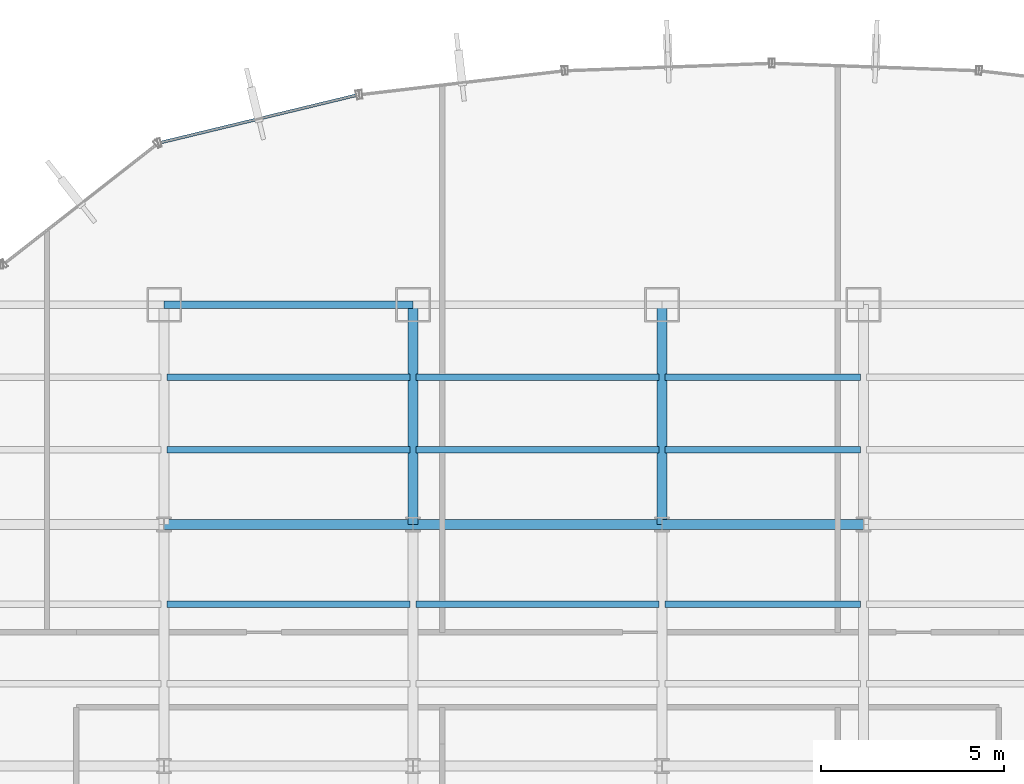
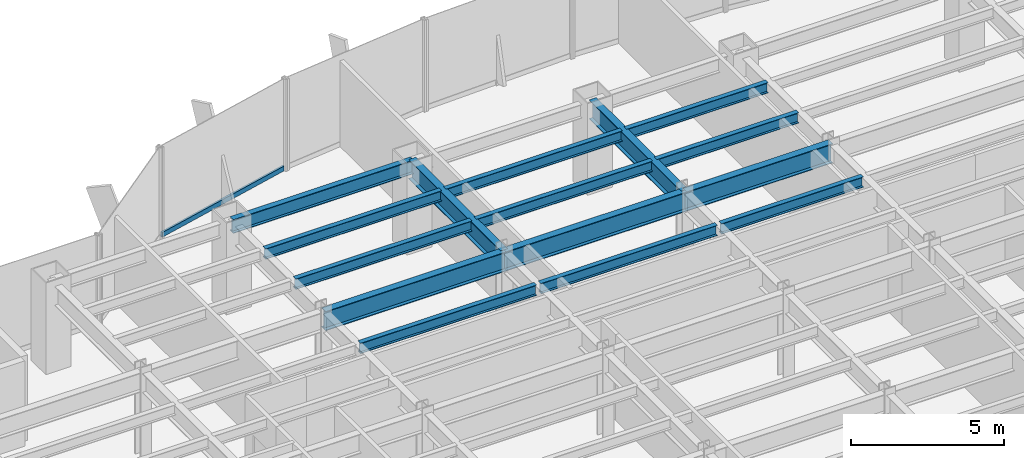
# One storey, part 11 of 22: 15 beams, 1 member, 1 element without a shape of its own.
"""IFC4 building model written with IfcOpenShell, lengths in metres."""

import ifcopenshell
import ifcopenshell.guid

model = None  # the IFC model being written
_history = None  # IfcOwnerHistory: only IFC2X3 demands one
_inside = {}  # id of a spatial element -> (the spatial element, [elements in it])
_under = {}  # id of a project, library or spatial element -> (it, [spatial elements below it])
_declared = {}  # id of a project -> (the project, [libraries it declares])
_typed = {}  # id of a type object -> (the type object, [elements of that type])
_made_of = {}  # id of a material, layer set ... -> (it, [elements and type objects made of it])


def new_model(schema):
    """Start an empty IFC model of exactly this schema.

    Asked for "IFC4X3", IfcOpenShell would pick the latest addendum, in which some entities
    have other attributes; the version numbers below select the first issue.
    IFC2X3 requires an IfcOwnerHistory on every rooted entity: one is made here for all.
    """
    global model, _history
    if schema == "IFC4X3":
        model = ifcopenshell.file(schema_version=(4, 3, 0, 0))
    else:
        model = ifcopenshell.file(schema=schema)
    _inside.clear()
    _under.clear()
    _declared.clear()
    _typed.clear()
    _made_of.clear()
    _history = None
    if model.schema == "IFC2X3":
        org = make("IfcOrganization", Name="unknown")
        user = make(
            "IfcPersonAndOrganization",
            ThePerson=make("IfcPerson", FamilyName="unknown"),
            TheOrganization=org,
        )
        app = make(
            "IfcApplication",
            ApplicationDeveloper=org,
            Version="unknown",
            ApplicationFullName="unknown",
            ApplicationIdentifier="unknown",
        )
        _history = make(
            "IfcOwnerHistory",
            OwningUser=user,
            OwningApplication=app,
            ChangeAction="ADDED",
            CreationDate=0,
        )
    return model


def make(cls, **values):
    """One entity of the class cls with the attributes given. An attribute that is None is left unset."""
    return model.create_entity(
        cls, **{name: value for name, value in values.items() if value is not None}
    )


def rooted(cls, **values):
    """An entity with a GlobalId (a new one), such as an element, a storey or a relation."""
    return make(cls, GlobalId=ifcopenshell.guid.new(), OwnerHistory=_history, **values)


def si_unit(unit_type, name, prefix=None):
    """IfcSIUnit, for example si_unit("LENGTHUNIT", "METRE", prefix="MILLI")."""
    return make("IfcSIUnit", UnitType=unit_type, Prefix=prefix, Name=name)


def derived_unit(unit_type, elements):
    """IfcDerivedUnit: a product of units, each with its exponent."""
    return make(
        "IfcDerivedUnit",
        Elements=[
            make("IfcDerivedUnitElement", Unit=unit, Exponent=power)
            for unit, power in elements
        ],
        UnitType=unit_type,
    )


def assignment(units):
    """IfcUnitAssignment: the units of a project."""
    return None if units is None else make("IfcUnitAssignment", Units=units)


def point(xyz):
    """IfcCartesianPoint."""
    return None if xyz is None else make("IfcCartesianPoint", Coordinates=xyz)


def direction(xyz):
    """IfcDirection."""
    return None if xyz is None else make("IfcDirection", DirectionRatios=xyz)


def frame(location, z_axis=None, x_axis=None):
    """IfcAxis2Placement3D, a coordinate frame: its origin and axes. An axis left out is left unset."""
    return make(
        "IfcAxis2Placement3D",
        Location=point(location),
        Axis=direction(z_axis),
        RefDirection=direction(x_axis),
    )


def frame_2d(location, x_axis=None):
    """IfcAxis2Placement2D, a coordinate frame in the plane: its origin and x axis."""
    return make(
        "IfcAxis2Placement2D", Location=point(location), RefDirection=direction(x_axis)
    )


def origin():
    """The frame at (0, 0, 0) with its axes left unset."""
    return frame((0.0, 0.0, 0.0))


def origin_2d():
    """The frame at (0, 0) in the plane with its x axis left unset."""
    return frame_2d((0.0, 0.0))


def place(relative_to, where):
    """IfcLocalPlacement: puts the frame where relative to a parent placement (None: the world)."""
    return make(
        "IfcLocalPlacement", PlacementRelTo=relative_to, RelativePlacement=where
    )


def context(
    kind, dimensions, precision=None, world=None, true_north=None, identifier=None
):
    """IfcGeometricRepresentationContext, for example the 3D "Model" context."""
    return make(
        "IfcGeometricRepresentationContext",
        ContextIdentifier=identifier,
        ContextType=kind,
        CoordinateSpaceDimension=dimensions,
        Precision=precision,
        WorldCoordinateSystem=world,
        TrueNorth=true_north,
    )


def subcontext(parent, identifier, kind, view, scale=None):
    """IfcGeometricRepresentationSubContext, for example "Body" below "Model"."""
    return make(
        "IfcGeometricRepresentationSubContext",
        ContextIdentifier=identifier,
        ContextType=kind,
        ParentContext=parent,
        TargetScale=scale,
        TargetView=view,
    )


def project(units=None, contexts=None):
    """IfcProject with its units and contexts."""
    return rooted(
        "IfcProject",
        Name="project",
        RepresentationContexts=contexts,
        UnitsInContext=assignment(units),
    )


def spatial(cls, under=None, at=None, **own):
    """A site, building, storey or space (cls), placed at a placement, below another one or the project."""
    s = rooted(cls, ObjectPlacement=at, **own)
    if under is not None:
        _under.setdefault(under.id(), (under, []))[1].append(s)
    return s


def profile(cls, at=None, kind="AREA", **sizes):
    """A parametric profile (cls). Its sizes go by their IFC names, for example OverallWidth=200.0."""
    return make(cls, ProfileType=kind, Position=at, **sizes)


def hollow_rectangle(**sizes):
    """IfcRectangleHollowProfileDef."""
    return profile("IfcRectangleHollowProfileDef", **sizes)


def i_section(**sizes):
    """IfcIShapeProfileDef."""
    return profile("IfcIShapeProfileDef", **sizes)


def extrude(swept, where, along, depth):
    """IfcExtrudedAreaSolid: the profile swept, set in the frame where, extruded along a direction by depth."""
    return make(
        "IfcExtrudedAreaSolid",
        SweptArea=swept,
        Position=where,
        ExtrudedDirection=direction(along),
        Depth=depth,
    )


def shape(context_of_items, identifier, shape_type, items):
    """IfcShapeRepresentation: the items that make up one representation, for example the "Body"."""
    return make(
        "IfcShapeRepresentation",
        ContextOfItems=context_of_items,
        RepresentationIdentifier=identifier,
        RepresentationType=shape_type,
        Items=items,
    )


def source(mapping_origin, context_of_items, identifier, shape_type, items):
    """IfcRepresentationMap: a shape defined once, which mapped items show again and again."""
    return make(
        "IfcRepresentationMap",
        MappingOrigin=mapping_origin,
        MappedRepresentation=shape(context_of_items, identifier, shape_type, items),
    )


def transform(
    local_origin,
    x_axis=None,
    y_axis=None,
    z_axis=None,
    scale=None,
    scale2=None,
    scale3=None,
    uniform=True,
):
    """IfcCartesianTransformationOperator3D, or its non-uniform kind. x_axis, y_axis, z_axis: its Axis1, 2, 3."""
    if uniform:
        return make(
            "IfcCartesianTransformationOperator3D",
            Axis1=direction(x_axis),
            Axis2=direction(y_axis),
            LocalOrigin=point(local_origin),
            Scale=scale,
            Axis3=direction(z_axis),
        )
    return make(
        "IfcCartesianTransformationOperator3DnonUniform",
        Axis1=direction(x_axis),
        Axis2=direction(y_axis),
        LocalOrigin=point(local_origin),
        Scale=scale,
        Axis3=direction(z_axis),
        Scale2=scale2,
        Scale3=scale3,
    )


def mapped(mapping_source, mapping_target):
    """IfcMappedItem: shows the shape of a source again, moved by a transform."""
    return make(
        "IfcMappedItem", MappingSource=mapping_source, MappingTarget=mapping_target
    )


def material(Name=None, Category=None):
    """IfcMaterial."""
    return make("IfcMaterial", Name=Name, Category=Category)


def material_profile(
    of_material, cross_section, Name=None, Category=None, Priority=None
):
    """IfcMaterialProfile: a cross section and its material."""
    return make(
        "IfcMaterialProfile",
        Name=Name,
        Material=of_material,
        Profile=cross_section,
        Priority=Priority,
        Category=Category,
    )


def profile_set(profiles, Name=None, composite=None):
    """IfcMaterialProfileSet."""
    return make(
        "IfcMaterialProfileSet",
        Name=Name,
        MaterialProfiles=profiles,
        CompositeProfile=composite,
    )


def made_of(thing, what):
    """Note that an element or type object is made of a material, layer set ...; save() writes the relation."""
    if what is not None:
        _made_of.setdefault(what.id(), (what, []))[1].append(thing)
    return thing


def type_object(cls, material=None, **own):
    """A type object (cls), such as IfcWallType, which elements share."""
    return made_of(rooted(cls, **own), material)


def element(
    cls,
    number,
    at=None,
    inside=None,
    cuts=None,
    type_object=None,
    material=None,
    context=None,
    identifier="Body",
    shape_type=None,
    held_by="IfcProductDefinitionShape",
    body=None,
    shapes=None,
    **own,
):
    """One element of the class cls, such as IfcWall. Its Tag is "e" and its number.

    at: its placement. inside: the storey or other place that contains it. cuts: it is an
    opening in that element (IfcRelVoidsElement). A single representation is given by context,
    identifier, shape_type and body (its items); several are given by shapes. held_by: the class
    of the entity that holds the representations. save() writes the other relations.
    """
    e = rooted(cls, Tag="e%d" % number, ObjectPlacement=at, **own)
    if body is not None:
        shapes = [shape(context, identifier, shape_type, body)]
    if shapes is not None:
        e.Representation = make(held_by, Representations=shapes)
    if inside is not None:
        _inside.setdefault(inside.id(), (inside, []))[1].append(e)
    if cuts is not None:
        rooted(
            "IfcRelVoidsElement", RelatingBuildingElement=cuts, RelatedOpeningElement=e
        )
    if type_object is not None:
        _typed.setdefault(type_object.id(), (type_object, []))[1].append(e)
    return made_of(e, material)


def aggregate(whole, parts):
    """IfcRelAggregates: a whole, such as a stair, and the parts it consists of."""
    return rooted("IfcRelAggregates", RelatingObject=whole, RelatedObjects=parts)


def save(model, path):
    """Write the relations noted so far, then the file.

    IfcRelAggregates (storeys below a building ...), IfcRelContainedInSpatialStructure (elements
    in a storey), IfcRelDefinesByType, IfcRelAssociatesMaterial and IfcRelDeclares: one each for
    every whole, place, type object, material and project.
    """
    for whole, parts in _under.values():
        aggregate(whole, parts)
    for where, things in _inside.values():
        rooted(
            "IfcRelContainedInSpatialStructure",
            RelatedElements=things,
            RelatingStructure=where,
        )
    for kind, things in _typed.values():
        rooted("IfcRelDefinesByType", RelatedObjects=things, RelatingType=kind)
    for what, things in _made_of.values():
        rooted("IfcRelAssociatesMaterial", RelatedObjects=things, RelatingMaterial=what)
    for by, libraries in _declared.values():
        rooted("IfcRelDeclares", RelatingContext=by, RelatedDefinitions=libraries)
    model.write(path)


model = new_model("IFC4")

# Units and contexts
model_context = context("Model", 3, precision=1e-05, world=origin(), true_north=direction((0.0, 1.0)))
body_context = subcontext(model_context, "Body", "Model", "MODEL_VIEW")
ifc_project = project(units=[si_unit("LENGTHUNIT", "METRE"), si_unit("AREAUNIT", "SQUARE_METRE"), si_unit("VOLUMEUNIT", "CUBIC_METRE"), si_unit("PLANEANGLEUNIT", "RADIAN"), si_unit("MASSUNIT", "GRAM", prefix="KILO"), derived_unit("THERMALTRANSMITTANCEUNIT", [(si_unit("POWERUNIT", "WATT"), 1), (si_unit("LENGTHUNIT", "METRE"), -2), (si_unit("THERMODYNAMICTEMPERATUREUNIT", "KELVIN"), -1)])], contexts=[model_context])

# Site, building, storey
site_placement = place(None, origin())
site = spatial("IfcSite", under=ifc_project, at=site_placement, CompositionType="ELEMENT")
building_placement = place(site_placement, origin())
building = spatial("IfcBuilding", under=site, at=building_placement, Name="Skarnbrae Concourse Arena and Tower", CompositionType="ELEMENT")
storey_placement = place(building_placement, frame((0.0, 0.0, 36.14990234375)))
storey = spatial("IfcBuildingStorey", under=building, at=storey_placement, Name="L07", CompositionType="ELEMENT", Elevation=36.14990234375)

# Beams
ifc_material_1 = material(Name="Steel CSA G40.21 350W", Category="steel")
ifc_material_profile_1 = material_profile(ifc_material_1, i_section(OverallWidth=0.26806640625, OverallDepth=0.77001953125, WebThickness=0.015625, FlangeThickness=0.025390625, at=origin_2d()), Name="W760X196")
ifc_profile_set_1 = profile_set([ifc_material_profile_1], Name="Steel CSA G40.21 350W")
beam_type_1 = type_object("IfcBeamType", Name="BM-GIRD-W760X196", PredefinedType="BEAM", material=ifc_profile_set_1)
shared_shape_1 = source(origin(), body_context, "Body", "SweptSolid", [
    extrude(i_section(OverallWidth=0.26806640625, OverallDepth=0.77001953125, WebThickness=0.015625, FlangeThickness=0.025390625, at=origin_2d()), origin(), (0.0, 0.0, 1.0), 6.800048828125),
])
for number, where, z_axis, x_axis, name in (
    (1, (14.39990234375, 34.39990234375, 3.01513671875), (1.0, 0.0, 0.0), (0.0, 1.0, 0.0), "L07 Primary E-W girder Y34.4-3"),
    (2, (21.199951171875, 34.39990234375, 3.01513671875), (1.0, 0.0, 0.0), (0.0, 1.0, 0.0), "L07 Primary E-W girder Y34.4-4"),
):
    element("IfcBeam", number, at=place(storey_placement, frame(where, z_axis=z_axis, x_axis=x_axis)), inside=storey, type_object=beam_type_1, Name=name, PredefinedType="BEAM", context=body_context, shape_type="MappedRepresentation", body=[
        mapped(shared_shape_1, transform((0.0, 0.0, 0.0))),
    ])
shared_shape_2 = source(origin(), body_context, "Body", "SweptSolid", [
    extrude(i_section(OverallWidth=0.26806640625, OverallDepth=0.77001953125, WebThickness=0.015625, FlangeThickness=0.025390625, at=origin_2d()), origin(), (0.0, 0.0, 1.0), 5.5),
])
beam_1_placement = place(storey_placement, frame((28.0, 34.39990234375, 3.01513671875), z_axis=(1.0, 0.0, 0.0), x_axis=(0.0, 1.0, 0.0)))
element("IfcBeam", 3, at=beam_1_placement, inside=storey, type_object=beam_type_1, Name="L07 Primary E-W girder Y34.4-5", PredefinedType="BEAM", context=body_context, shape_type="MappedRepresentation", body=[
    mapped(shared_shape_2, transform((0.0, 0.0, 0.0))),
])
shared_shape_3 = source(origin(), body_context, "Body", "SweptSolid", [
    extrude(i_section(OverallWidth=0.26806640625, OverallDepth=0.77001953125, WebThickness=0.015625, FlangeThickness=0.025390625, at=origin_2d()), origin(), (0.0, 0.0, 1.0), 6.0),
])
for number, where, z_axis, x_axis, name in (
    (4, (21.199951171875, 34.39990234375, 3.01513671875), (0.0, 1.0, 0.0), (-1.0, 0.0, 0.0), "L07 Primary N-S girder X21.2-4"),
    (5, (28.0, 34.39990234375, 3.01513671875), (0.0, 1.0, 0.0), (-1.0, 0.0, 0.0), "L07 Primary N-S girder X28.0-4"),
):
    element("IfcBeam", number, at=place(storey_placement, frame(where, z_axis=z_axis, x_axis=x_axis)), inside=storey, type_object=beam_type_1, Name=name, PredefinedType="BEAM", context=body_context, shape_type="MappedRepresentation", body=[
        mapped(shared_shape_3, transform((0.0, 0.0, 0.0))),
    ])
ifc_material_profile_2 = material_profile(ifc_material_1, i_section(OverallWidth=0.214111328125, OverallDepth=0.549072265625, WebThickness=0.0146484375, FlangeThickness=0.023681640625, at=origin_2d()), Name="W530X138")
ifc_profile_set_2 = profile_set([ifc_material_profile_2], Name="Steel CSA G40.21 350W")
beam_type_2 = type_object("IfcBeamType", Name="BM-SPAN-W530X138", PredefinedType="SPANDREL", material=ifc_profile_set_2)
shared_shape_4 = source(origin(), body_context, "Body", "SweptSolid", [
    extrude(i_section(OverallWidth=0.214111328125, OverallDepth=0.549072265625, WebThickness=0.0146484375, FlangeThickness=0.023681640625, at=origin_2d()), origin(), (0.0, 0.0, 1.0), 6.800048828125),
])
beam_2_placement = place(storey_placement, frame((14.39990234375, 40.39990234375, 3.12548828125), z_axis=(1.0, 0.0, 0.0), x_axis=(0.0, 1.0, 0.0)))
element("IfcBeam", 6, at=beam_2_placement, inside=storey, type_object=beam_type_2, Name="L07 Perimeter spandrel Y40.4-2", PredefinedType="SPANDREL", context=body_context, shape_type="MappedRepresentation", body=[
    mapped(shared_shape_4, transform((0.0, 0.0, 0.0))),
])
ifc_material_profile_3 = material_profile(ifc_material_1, i_section(OverallWidth=0.180908203125, OverallDepth=0.4169921875, WebThickness=0.010986328125, FlangeThickness=0.018310546875, at=origin_2d()), Name="W410X85")
ifc_profile_set_3 = profile_set([ifc_material_profile_3], Name="Steel CSA G40.21 350W")
beam_type_3 = type_object("IfcBeamType", Name="BM-JOIST-W410X85", PredefinedType="JOIST", material=ifc_profile_set_3)
shared_shape_5 = source(origin(), body_context, "Body", "SweptSolid", [
    extrude(i_section(OverallWidth=0.180908203125, OverallDepth=0.4169921875, WebThickness=0.010986328125, FlangeThickness=0.018310546875, at=origin_2d()), origin(), (0.0, 0.0, 1.0), 6.64013671875),
])
for number, where, z_axis, x_axis, name in (
    (7, (14.47998046875, 32.221923828125, 3.191650390625), (1.0, 0.0, 0.0), (0.0, 1.0, 0.0), "L07 Secondary floor joist 3.2.3"),
    (8, (14.47998046875, 36.43994140625, 3.191650390625), (1.0, 0.0, 0.0), (0.0, 1.0, 0.0), "L07 Secondary floor joist 4.1.2"),
    (9, (14.47998046875, 38.419921875, 3.191650390625), (1.0, 0.0, 0.0), (0.0, 1.0, 0.0), "L07 Secondary floor joist 4.2.2"),
):
    element("IfcBeam", number, at=place(storey_placement, frame(where, z_axis=z_axis, x_axis=x_axis)), inside=storey, type_object=beam_type_3, Name=name, PredefinedType="JOIST", context=body_context, shape_type="MappedRepresentation", body=[
        mapped(shared_shape_5, transform((0.0, 0.0, 0.0))),
    ])
shared_shape_6 = source(origin(), body_context, "Body", "SweptSolid", [
    extrude(i_section(OverallWidth=0.180908203125, OverallDepth=0.4169921875, WebThickness=0.010986328125, FlangeThickness=0.018310546875, at=origin_2d()), origin(), (0.0, 0.0, 1.0), 6.639892578125),
])
for number, where, z_axis, x_axis, name in (
    (10, (21.280029296875, 32.221923828125, 3.191650390625), (1.0, 0.0, 0.0), (0.0, 1.0, 0.0), "L07 Secondary floor joist 3.2.4"),
    (11, (21.280029296875, 36.43994140625, 3.191650390625), (1.0, 0.0, 0.0), (0.0, 1.0, 0.0), "L07 Secondary floor joist 4.1.3"),
    (12, (21.280029296875, 38.419921875, 3.191650390625), (1.0, 0.0, 0.0), (0.0, 1.0, 0.0), "L07 Secondary floor joist 4.2.3"),
):
    element("IfcBeam", number, at=place(storey_placement, frame(where, z_axis=z_axis, x_axis=x_axis)), inside=storey, type_object=beam_type_3, Name=name, PredefinedType="JOIST", context=body_context, shape_type="MappedRepresentation", body=[
        mapped(shared_shape_6, transform((0.0, 0.0, 0.0))),
    ])
shared_shape_7 = source(origin(), body_context, "Body", "SweptSolid", [
    extrude(i_section(OverallWidth=0.180908203125, OverallDepth=0.4169921875, WebThickness=0.010986328125, FlangeThickness=0.018310546875, at=origin_2d()), origin(), (0.0, 0.0, 1.0), 5.33984375),
])
for number, where, z_axis, x_axis, name in (
    (13, (28.080078125, 32.221923828125, 3.191650390625), (1.0, 0.0, 0.0), (0.0, 1.0, 0.0), "L07 Secondary floor joist 3.2.5"),
    (14, (28.080078125, 36.43994140625, 3.191650390625), (1.0, 0.0, 0.0), (0.0, 1.0, 0.0), "L07 Secondary floor joist 4.1.4"),
    (15, (28.080078125, 38.419921875, 3.191650390625), (1.0, 0.0, 0.0), (0.0, 1.0, 0.0), "L07 Secondary floor joist 4.2.4"),
):
    element("IfcBeam", number, at=place(storey_placement, frame(where, z_axis=z_axis, x_axis=x_axis)), inside=storey, type_object=beam_type_3, Name=name, PredefinedType="JOIST", context=body_context, shape_type="MappedRepresentation", body=[
        mapped(shared_shape_7, transform((0.0, 0.0, 0.0))),
    ])

# Curtain wall, member
ifc_material_2 = material(Name="Bronze anodised aluminium 6063-T6", Category="aluminium")
curtain_wall_type = type_object("IfcCurtainWallType", Name="CW-SYS-02-LOWZONE", PredefinedType="USERDEFINED", material=ifc_material_2)
curtain_wall_placement = place(storey_placement, origin())
curtain_wall = element("IfcCurtainWall", 16, at=curtain_wall_placement, inside=storey, type_object=curtain_wall_type, Name="L07 Unitised curtain wall CW-L07-E14", ObjectType="UNITISED CURTAIN WALL", PredefinedType="USERDEFINED")
ifc_material_profile_4 = material_profile(ifc_material_2, hollow_rectangle(XDim=0.080078125, YDim=0.18994140625, WallThickness=0.0048828125, at=origin_2d()), Name="ALU-TRAN-80X190")
ifc_profile_set_4 = profile_set([ifc_material_profile_4], Name="Bronze anodised aluminium 6063-T6")
member_type = type_object("IfcMemberType", Name="CWT-CW-02", PredefinedType="USERDEFINED", material=ifc_profile_set_4)
shared_shape_8 = source(origin(), body_context, "Body", "SweptSolid", [
    extrude(hollow_rectangle(XDim=0.080078125, YDim=0.18994140625, WallThickness=0.0048828125, at=origin_2d()), origin(), (0.0, 0.0, 1.0), 5.4921875),
])
member_placement = place(storey_placement, frame((19.64990234375, 46.12158203125, 0.09521484375), z_axis=(-0.971980728004, -0.235060554728, 0.0), x_axis=(0.235060554728, -0.971980728004, 0.0)))
member = element("IfcMember", 17, at=member_placement, type_object=member_type, Name="CW-L07-E14 Transom 1", ObjectType="TRANSOM", PredefinedType="USERDEFINED", context=body_context, shape_type="MappedRepresentation", body=[
    mapped(shared_shape_8, transform((0.0, 0.0, 0.0))),
])
aggregate(curtain_wall, [member])

save(model, "model.ifc")
